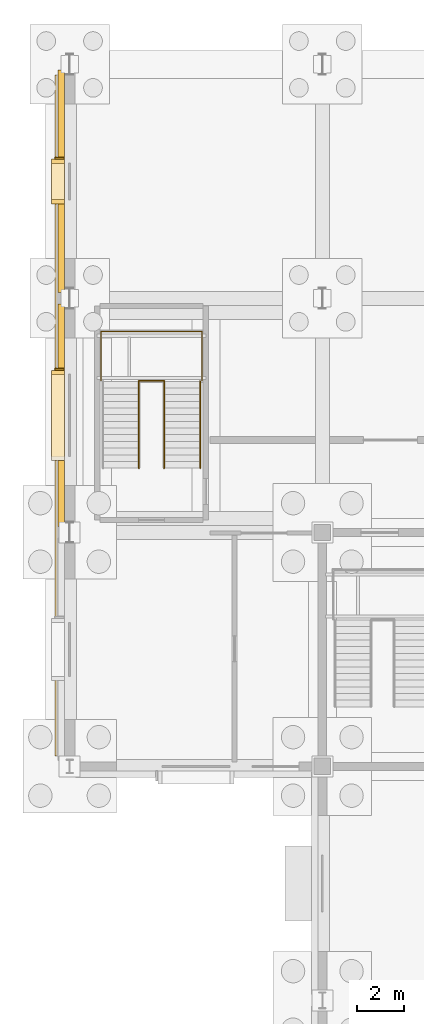
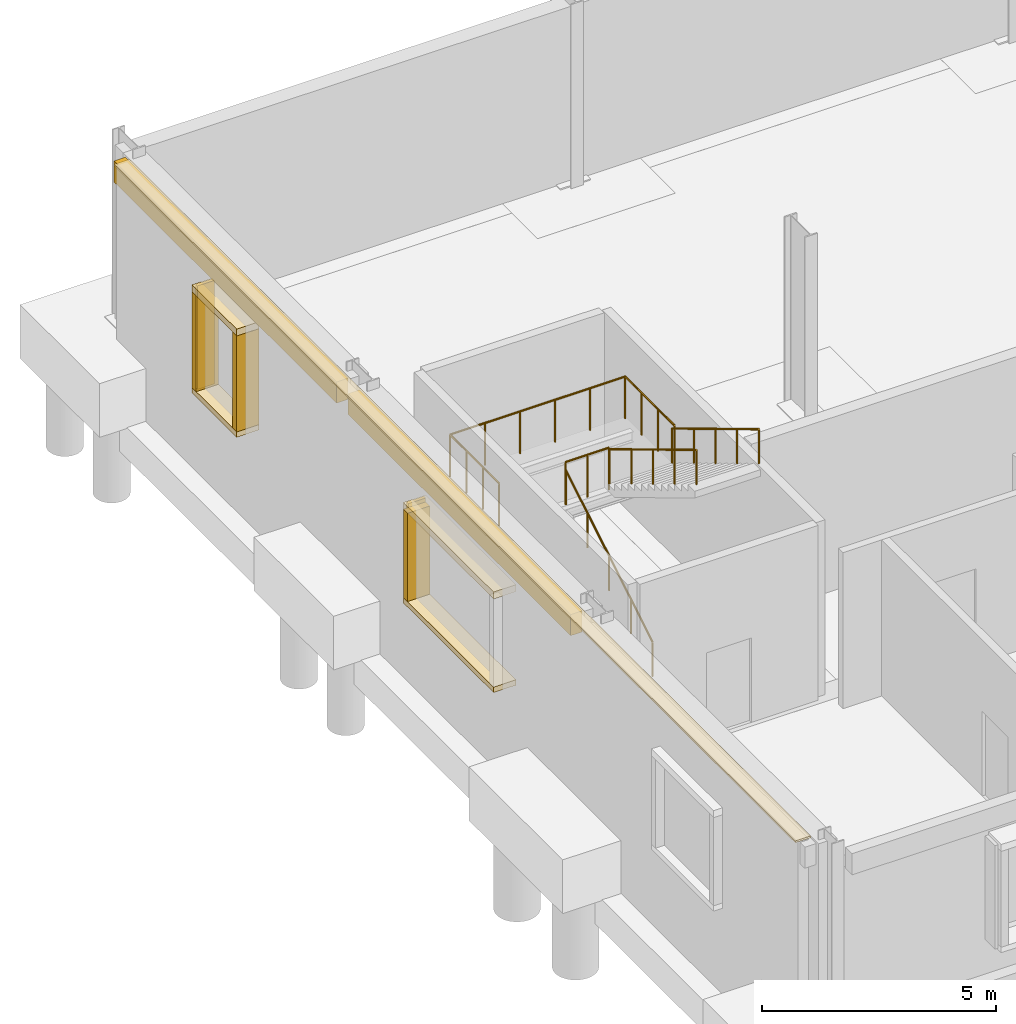
# One storey, part 69 of 73: 10 coverings, 5 railings, 2 shading devices.
"""IFC4 building model written with IfcOpenShell, lengths in metres."""

from ifc_helpers import new_model, si_unit, direction, frame, origin, origin_2d, place, context, subcontext, project, spatial, rectangle, circle, extrude, material, layer, layer_set, type_object, element, save


model = new_model("IFC4")

# Units and contexts
model_context = context("Model", 3, precision=1e-05, world=origin(), true_north=direction((0.0, 1.0)))
body_context = subcontext(model_context, "Body", "Model", "MODEL_VIEW")
ifc_project = project(units=[si_unit("LENGTHUNIT", "METRE"), si_unit("AREAUNIT", "SQUARE_METRE"), si_unit("VOLUMEUNIT", "CUBIC_METRE"), si_unit("PLANEANGLEUNIT", "RADIAN"), si_unit("MASSUNIT", "GRAM", prefix="KILO")], contexts=[model_context])

# Site, building, storey
site_placement = place(None, origin())
site = spatial("IfcSite", under=ifc_project, at=site_placement, CompositionType="ELEMENT")
building_placement = place(site_placement, origin())
building = spatial("IfcBuilding", under=site, at=building_placement, Name="Tasgan Crest Museum", CompositionType="ELEMENT")
storey_placement = place(building_placement, origin())
storey = spatial("IfcBuildingStorey", under=building, at=storey_placement, Name="L00", CompositionType="ELEMENT", Elevation=0.0)

# Coverings
ifc_material_1 = material(Name="Honed Rose-Red Mongolian Granite", Category="masonry")
ifc_layer_1 = layer(ifc_material_1, 0.0400390625, Name="COV-GRANITE-ROSE")
ifc_layer_set_1 = layer_set([ifc_layer_1], Name="Honed Rose-Red Mongolian Granite")
covering_type_1 = type_object("IfcCoveringType", Name="COV-GRANITE-ROSE", PredefinedType="CLADDING", material=ifc_layer_set_1)
for number, where, z_axis, x_axis, name in (
    (1, (-0.5, 107.864990234375, 1.0), (0.0, 0.0, 1.0), (0.0, -1.0, 0.0), "Deep window reveal jamb L00-016"),
    (2, (-0.5, 106.135009765625, 1.0), (0.0, 0.0, 1.0), (0.0, -1.0, 0.0), "Deep window reveal jamb L00-016"),
):
    element("IfcCovering", number, at=place(storey_placement, frame(where, z_axis=z_axis, x_axis=x_axis)), inside=storey, type_object=covering_type_1, Name=name, PredefinedType="CLADDING", context=body_context, shape_type="SweptSolid", body=[
        extrude(rectangle(XDim=0.179931640625, YDim=0.550048828125, at=origin_2d()), origin(), (0.0, 0.0, 1.0), 2.5),
    ])
covering_1_placement = place(storey_placement, frame((-0.5, 98.840087890625, 1.0), z_axis=(0.0, 0.0, 1.0), x_axis=(0.0, -1.0, 0.0)))
element("IfcCovering", 3, at=covering_1_placement, inside=storey, type_object=covering_type_1, Name="Deep window reveal jamb L00-017", PredefinedType="CLADDING", context=body_context, shape_type="SweptSolid", body=[
    extrude(rectangle(XDim=0.179931640625, YDim=0.550048828125, at=origin_2d()), origin(), (0.0, 0.0, 1.0), 2.300048828125),
])
ifc_material_2 = material(Name="Honed Buff Limestone", Category="masonry")
ifc_layer_2 = layer(ifc_material_2, 0.044921875, Name="COV-LIMESTONE-BUFF")
ifc_layer_set_2 = layer_set([ifc_layer_2], Name="Honed Buff Limestone")
covering_type_2 = type_object("IfcCoveringType", Name="COV-LIMESTONE-BUFF", PredefinedType="CLADDING", material=ifc_layer_set_2)
covering_2_placement = place(storey_placement, frame((-0.429931640625, 97.0, 4.5400390625), z_axis=(0.0, 0.0, 1.0), x_axis=(0.0, 1.0, 0.0)))
element("IfcCovering", 4, at=covering_2_placement, inside=storey, type_object=covering_type_2, Name="Hillside plinth stone coping W-NORTH-SLOPE", PredefinedType="CLADDING", context=body_context, shape_type="SweptSolid", body=[
    extrude(rectangle(XDim=29.10009765625, YDim=0.3798828125, at=origin_2d()), origin(), (0.0, 0.0, 1.0), 0.050048828125),
])
covering_3_placement = place(storey_placement, frame((-0.364990234375, 107.0, 3.9599609375), z_axis=(0.0, 0.0, 1.0), x_axis=(0.0, -1.0, 0.0)))
element("IfcCovering", 5, at=covering_3_placement, inside=storey, type_object=covering_type_2, Name="Stone frieze cladding L00", PredefinedType="CLADDING", context=body_context, shape_type="SweptSolid", body=[
    extrude(rectangle(XDim=9.510009765625, YDim=0.280029296875, at=origin_2d()), origin(), (0.0, 0.0, 1.0), 0.550048828125),
])
covering_4_placement = place(storey_placement, frame((-0.5, 107.0, 3.5), z_axis=(0.0, 0.0, 1.0), x_axis=(0.0, -1.0, 0.0)))
element("IfcCovering", 6, at=covering_4_placement, inside=storey, type_object=covering_type_2, Name="Deep window hood L00-016", PredefinedType="CLADDING", context=body_context, shape_type="SweptSolid", body=[
    extrude(rectangle(XDim=1.909912109375, YDim=0.550048828125, at=origin_2d()), origin(), (0.0, 0.0, 1.0), 0.179931640625),
])
covering_5_placement = place(storey_placement, frame((-0.5, 107.0, 0.85986328125), z_axis=(0.0, 0.0, 1.0), x_axis=(0.0, -1.0, 0.0)))
element("IfcCovering", 7, at=covering_5_placement, inside=storey, type_object=covering_type_2, Name="Deep window sill L00-016", PredefinedType="CLADDING", context=body_context, shape_type="SweptSolid", body=[
    extrude(rectangle(XDim=1.909912109375, YDim=0.550048828125, at=origin_2d()), origin(), (0.0, 0.0, 1.0), 0.139892578125),
])
covering_6_placement = place(storey_placement, frame((-0.364990234375, 97.0, 3.9599609375), z_axis=(0.0, 0.0, 1.0), x_axis=(0.0, -1.0, 0.0)))
element("IfcCovering", 8, at=covering_6_placement, inside=storey, type_object=covering_type_2, Name="Stone frieze cladding L00", PredefinedType="CLADDING", context=body_context, shape_type="SweptSolid", body=[
    extrude(rectangle(XDim=9.510009765625, YDim=0.280029296875, at=origin_2d()), origin(), (0.0, 0.0, 1.0), 0.550048828125),
])
covering_7_placement = place(storey_placement, frame((-0.5, 97.0, 3.2998046875), z_axis=(0.0, 0.0, 1.0), x_axis=(0.0, -1.0, 0.0)))
element("IfcCovering", 9, at=covering_7_placement, inside=storey, type_object=covering_type_2, Name="Deep window hood L00-017", PredefinedType="CLADDING", context=body_context, shape_type="SweptSolid", body=[
    extrude(rectangle(XDim=3.860107421875, YDim=0.550048828125, at=origin_2d()), origin(), (0.0, 0.0, 1.0), 0.179931640625),
])
covering_8_placement = place(storey_placement, frame((-0.5, 97.0, 0.85986328125), z_axis=(0.0, 0.0, 1.0), x_axis=(0.0, -1.0, 0.0)))
element("IfcCovering", 10, at=covering_8_placement, inside=storey, type_object=covering_type_2, Name="Deep window sill L00-017", PredefinedType="CLADDING", context=body_context, shape_type="SweptSolid", body=[
    extrude(rectangle(XDim=3.860107421875, YDim=0.550048828125, at=origin_2d()), origin(), (0.0, 0.0, 1.0), 0.139892578125),
])

# Railings
ifc_material_3 = material(Name="Brushed Bronze and Toughened Glass", Category="glass")
railing_type_1 = type_object("IfcRailingType", Name="RL-INT-GUARD-1120", PredefinedType="GUARDRAIL", material=ifc_material_3)
railing_1_placement = place(storey_placement, frame((2.9599609375, 98.47509765625, 2.39990234375)))
element("IfcRailing", 11, at=railing_1_placement, inside=storey, type_object=railing_type_1, Name="Stair half-landing well guard ST-GW-L00 T1", PredefinedType="GUARDRAIL", context=body_context, shape_type="SweptSolid", body=[
    extrude(circle(Radius=0.02392578125, at=origin_2d()), frame((0.0, 0.0, 1.09619140625), z_axis=(1.0, 0.0, 0.0), x_axis=(0.0, 1.0, 0.0)), (0.0, 0.0, 1.0), 1.080078125),
    extrude(circle(Radius=0.02099609375, at=origin_2d()), origin(), (0.0, 0.0, 1.0), 1.072021484375),
    extrude(circle(Radius=0.02099609375, at=origin_2d()), frame((0.5400390625, 0.0, 0.0)), (0.0, 0.0, 1.0), 1.072021484375),
    extrude(circle(Radius=0.02099609375, at=origin_2d()), frame((1.080078125, 0.0, 0.0)), (0.0, 0.0, 1.0), 1.072021484375),
])
railing_2_placement = place(storey_placement, frame((1.340087890625, 98.4951171875, 2.39990234375)))
element("IfcRailing", 12, at=railing_2_placement, inside=storey, type_object=railing_type_1, Name="Stair half-landing perimeter guard ST-GW-L00 T1", PredefinedType="GUARDRAIL", context=body_context, shape_type="SweptSolid", body=[
    extrude(circle(Radius=0.02392578125, at=origin_2d()), frame((0.0, 0.0, 1.09619140625), z_axis=(0.0, 1.0, 0.0), x_axis=(-1.0, 0.0, 0.0)), (0.0, 0.0, 1.0), 2.099853515625),
    extrude(circle(Radius=0.02392578125, at=origin_2d()), frame((0.0, 2.099853515625, 1.09619140625), z_axis=(1.0, 0.0, 0.0), x_axis=(0.0, 1.0, 0.0)), (0.0, 0.0, 1.0), 4.31982421875),
    extrude(circle(Radius=0.02392578125, at=origin_2d()), frame((4.31982421875, 2.099853515625, 1.09619140625), z_axis=(0.0, -1.0, 0.0), x_axis=(1.0, 0.0, 0.0)), (0.0, 0.0, 1.0), 2.099853515625),
    extrude(circle(Radius=0.02099609375, at=origin_2d()), origin(), (0.0, 0.0, 1.0), 1.072021484375),
    extrude(circle(Radius=0.02099609375, at=origin_2d()), frame((0.0, 0.699951171875, 0.0)), (0.0, 0.0, 1.0), 1.072021484375),
    extrude(circle(Radius=0.02099609375, at=origin_2d()), frame((0.0, 1.39990234375, 0.0)), (0.0, 0.0, 1.0), 1.072021484375),
    extrude(circle(Radius=0.02099609375, at=origin_2d()), frame((0.0, 2.099853515625, 0.0)), (0.0, 0.0, 1.0), 1.072021484375),
    extrude(circle(Radius=0.02099609375, at=origin_2d()), frame((0.864013671875, 2.099853515625, 0.0)), (0.0, 0.0, 1.0), 1.072021484375),
    extrude(circle(Radius=0.02099609375, at=origin_2d()), frame((1.72802734375, 2.099853515625, 0.0)), (0.0, 0.0, 1.0), 1.072021484375),
    extrude(circle(Radius=0.02099609375, at=origin_2d()), frame((2.591796875, 2.099853515625, 0.0)), (0.0, 0.0, 1.0), 1.072021484375),
    extrude(circle(Radius=0.02099609375, at=origin_2d()), frame((3.455810546875, 2.099853515625, 0.0)), (0.0, 0.0, 1.0), 1.072021484375),
    extrude(circle(Radius=0.02099609375, at=origin_2d()), frame((4.31982421875, 2.099853515625, 0.0)), (0.0, 0.0, 1.0), 1.072021484375),
    extrude(circle(Radius=0.02099609375, at=origin_2d()), frame((4.31982421875, 1.39990234375, 0.0)), (0.0, 0.0, 1.0), 1.072021484375),
    extrude(circle(Radius=0.02099609375, at=origin_2d()), frame((4.31982421875, 0.699951171875, 0.0)), (0.0, 0.0, 1.0), 1.072021484375),
    extrude(circle(Radius=0.02099609375, at=origin_2d()), frame((4.31982421875, 0.0, 0.0)), (0.0, 0.0, 1.0), 1.072021484375),
])
ifc_material_4 = material(Name="Brushed Stainless Steel", Category="steel")
railing_type_2 = type_object("IfcRailingType", Name="RL-STAIR-HAND-920", PredefinedType="HANDRAIL", material=ifc_material_4)
railing_3_placement = place(storey_placement, frame((2.9599609375, 94.75, 0.17138671875)))
element("IfcRailing", 13, at=railing_3_placement, inside=storey, type_object=railing_type_2, Name="Stair handrail STAIR-GALW-L00-F1 R", PredefinedType="HANDRAIL", context=body_context, shape_type="SweptSolid", body=[
    extrude(circle(Radius=0.02392578125, at=origin_2d()), frame((0.0, 0.0, 0.89599609375), z_axis=(0.0, 0.856934400257, 0.515425487977), x_axis=(-1.0, 0.0, 0.0)), (0.0, 0.0, 1.0), 4.32373046875),
    extrude(circle(Radius=0.02099609375, at=origin_2d()), origin(), (0.0, 0.0, 1.0), 0.871826171875),
    extrude(circle(Radius=0.02099609375, at=origin_2d()), frame((0.0, 0.92626953125, 0.55712890625)), (0.0, 0.0, 1.0), 0.871826171875),
    extrude(circle(Radius=0.02099609375, at=origin_2d()), frame((0.0, 1.8525390625, 1.1142578125)), (0.0, 0.0, 1.0), 0.871826171875),
    extrude(circle(Radius=0.02099609375, at=origin_2d()), frame((0.0, 2.77880859375, 1.67138671875)), (0.0, 0.0, 1.0), 0.871826171875),
    extrude(circle(Radius=0.02099609375, at=origin_2d()), frame((0.0, 3.705078125, 2.228515625)), (0.0, 0.0, 1.0), 0.871826171875),
])
for number, where, name in (
    (14, (5.580078125, 98.455078125, 2.5712890625), "Stair handrail STAIR-GALW-L00-F2 L"),
    (15, (4.0400390625, 98.455078125, 2.5712890625), "Stair handrail STAIR-GALW-L00-F2 R"),
):
    element("IfcRailing", number, at=place(storey_placement, frame(where)), inside=storey, type_object=railing_type_2, Name=name, PredefinedType="HANDRAIL", context=body_context, shape_type="SweptSolid", body=[
        extrude(circle(Radius=0.02392578125, at=origin_2d()), frame((0.0, 0.0, 0.89599609375), z_axis=(0.0, -0.856909459561, 0.515466951525), x_axis=(1.0, 0.0, 0.0)), (0.0, 0.0, 1.0), 4.32373046875),
        extrude(circle(Radius=0.02099609375, at=origin_2d()), origin(), (0.0, 0.0, 1.0), 0.871826171875),
        extrude(circle(Radius=0.02099609375, at=origin_2d()), frame((0.0, -0.92626953125, 0.55712890625)), (0.0, 0.0, 1.0), 0.871826171875),
        extrude(circle(Radius=0.02099609375, at=origin_2d()), frame((0.0, -1.8525390625, 1.1142578125)), (0.0, 0.0, 1.0), 0.871826171875),
        extrude(circle(Radius=0.02099609375, at=origin_2d()), frame((0.0, -2.77880859375, 1.671630859375)), (0.0, 0.0, 1.0), 0.871826171875),
        extrude(circle(Radius=0.02099609375, at=origin_2d()), frame((0.0, -3.705078125, 2.228759765625)), (0.0, 0.0, 1.0), 0.871826171875),
    ])

# Shading devices
ifc_material_5 = material(Name="Anodised Bronze Aluminium", Category="aluminium")
shading_device_type = type_object("IfcShadingDeviceType", Name="SH-FIN-V400", PredefinedType="JALOUSIE", material=ifc_material_5)
shading_device_1_placement = place(storey_placement, frame((-0.43505859375, 107.9951171875, 0.89990234375), z_axis=(0.0, 0.0, 1.0), x_axis=(0.0, -1.0, 0.0)))
element("IfcShadingDevice", 16, at=shading_device_1_placement, inside=storey, type_object=shading_device_type, Name="Solar shading fin L00-016", PredefinedType="JALOUSIE", context=body_context, shape_type="SweptSolid", body=[
    extrude(rectangle(XDim=0.080078125, YDim=0.419921875, at=origin_2d()), origin(), (0.0, 0.0, 1.0), 2.699951171875),
])
shading_device_2_placement = place(storey_placement, frame((-0.43505859375, 98.969970703125, 0.89990234375), z_axis=(0.0, 0.0, 1.0), x_axis=(0.0, -1.0, 0.0)))
element("IfcShadingDevice", 17, at=shading_device_2_placement, inside=storey, type_object=shading_device_type, Name="Solar shading fin L00-017", PredefinedType="JALOUSIE", context=body_context, shape_type="SweptSolid", body=[
    extrude(rectangle(XDim=0.080078125, YDim=0.419921875, at=origin_2d()), origin(), (0.0, 0.0, 1.0), 2.5),
])

save(model, "model.ifc")
